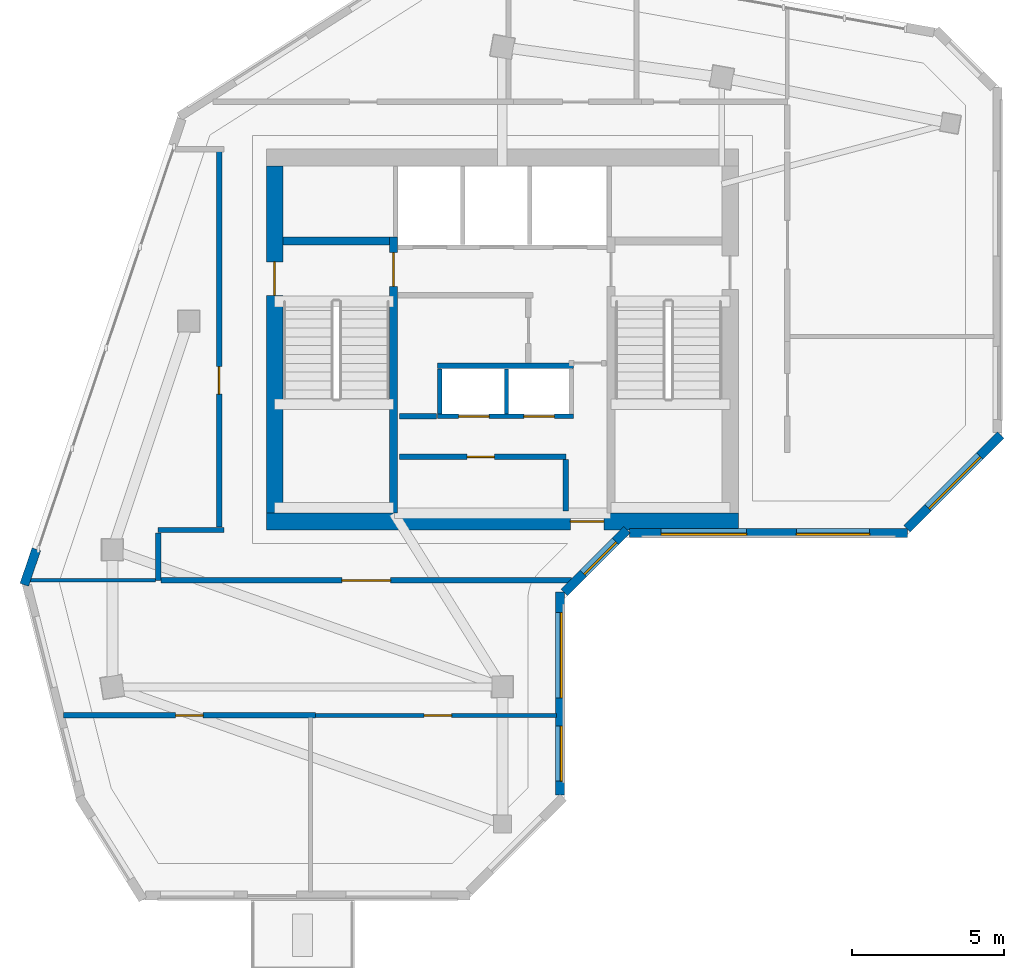
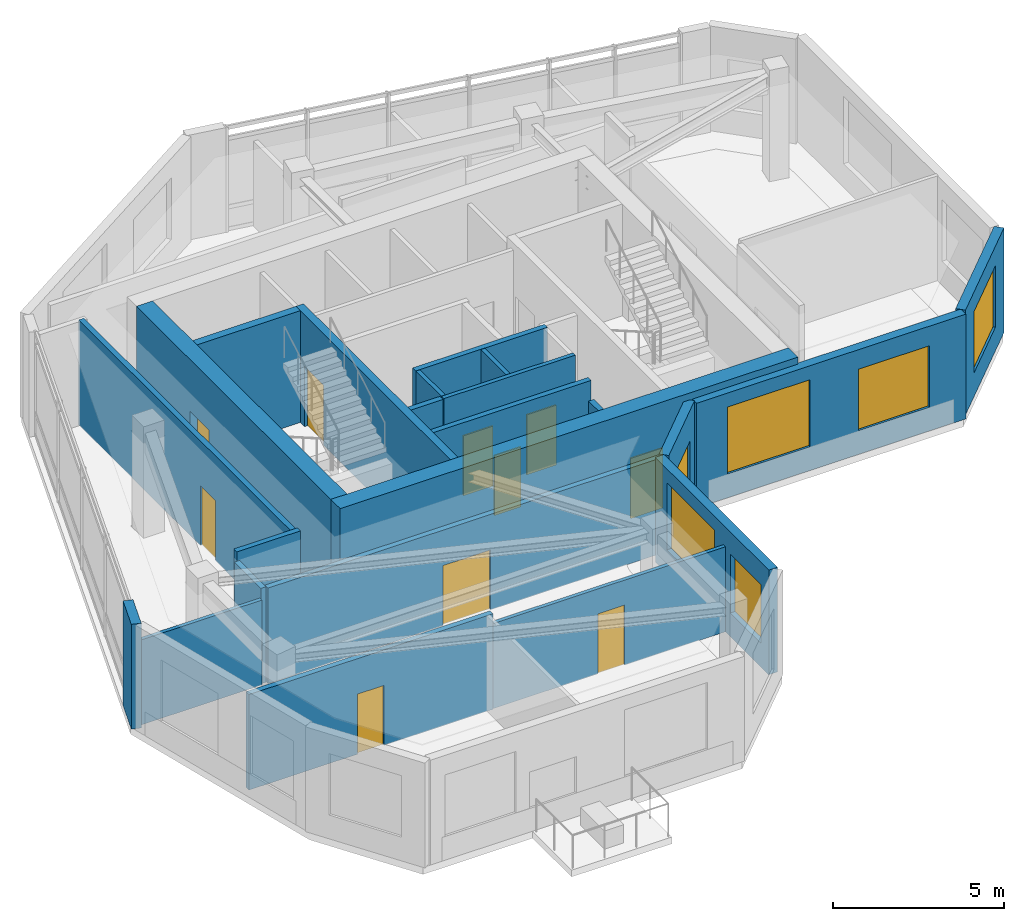
# One storey, part 3 of 8: 23 walls, 10 doors, 6 windows, 16 openings.
"""IFC4 building model written with IfcOpenShell, lengths in metres."""

from ifc_helpers import new_model, si_unit, direction, frame, frame_2d, origin, place, context, subcontext, project, spatial, rectangle, extrude, source, transform, mapped, material, layer, layer_set, type_object, element, fill, save


model = new_model("IFC4")

# Units and contexts
model_context = context("Model", 3, precision=1e-05, world=origin(), true_north=direction((0.0, 1.0)))
body_context = subcontext(model_context, "Body", "Model", "MODEL_VIEW")
ifc_project = project(units=[si_unit("LENGTHUNIT", "METRE"), si_unit("AREAUNIT", "SQUARE_METRE"), si_unit("VOLUMEUNIT", "CUBIC_METRE"), si_unit("PLANEANGLEUNIT", "RADIAN"), si_unit("MASSUNIT", "GRAM", prefix="KILO")], contexts=[model_context])

# Site, building, storey
site_placement = place(None, origin())
site = spatial("IfcSite", under=ifc_project, at=site_placement, CompositionType="ELEMENT")
building_placement = place(site_placement, origin())
building = spatial("IfcBuilding", under=site, at=building_placement, Name="Calvemar Wedge Station Tower", CompositionType="ELEMENT")
storey_placement = place(building_placement, frame((0.0, 0.0, 296.5)))
storey = spatial("IfcBuildingStorey", under=building, at=storey_placement, Name="L76", CompositionType="ELEMENT", Elevation=296.5)

# Wall, opening, door
ifc_material_1 = material(Name="Concrete C50", Category="concrete")
ifc_layer_1 = layer(ifc_material_1, 0.260009765625)
ifc_layer_set_1 = layer_set([ifc_layer_1], Name="Concrete C50")
wall_type_1 = type_object("IfcWallType", Name="SW-CORE-260", PredefinedType="SHEAR", material=ifc_layer_set_1)
wall_1_placement = place(storey_placement, frame((20.22998046875, 34.199951171875, 0.0), z_axis=(0.0, 0.0, 1.0), x_axis=(0.0, 1.0, 0.0)))
wall_1 = element("IfcWall", 1, at=wall_1_placement, inside=storey, type_object=wall_type_1, Name="Storey L76 Core Shear Wall SPINE-W", PredefinedType="SHEAR", context=body_context, shape_type="SweptSolid", body=[
    extrude(rectangle(XDim=9.06005859375, YDim=0.260009765625, at=frame_2d((4.530029296875, 0.0))), origin(), (0.0, 0.0, 1.0), 4.0),
])
shared_shape_1 = source(origin(), body_context, "Body", "SweptSolid", [
    extrude(rectangle(XDim=1.10009765625, YDim=2.14990234375, at=frame_2d((0.550048828125, 1.074951171875))), frame((0.0, 0.14013671875, 0.0), z_axis=(0.0, -1.0, 0.0), x_axis=(1.0, 0.0, 0.0)), (0.0, 0.0, 1.0), 0.280029296875),
])
opening_1_placement = place(wall_1_placement, frame((7.449951171875, 0.0, 0.0)))
opening_1 = element("IfcOpeningElement", 2, at=opening_1_placement, cuts=wall_1, Name="Opening FD-90", PredefinedType="OPENING", context=body_context, shape_type="MappedRepresentation", body=[
    mapped(shared_shape_1, transform((0.0, 0.0, 0.0), scale=1.0)),
])
ifc_material_2 = material(Name="Galvanized fire-rated steel door leaf P-90", Category="steel")
door_type_1 = type_object("IfcDoorType", Name="DR-FD90-1100", OperationType="NOTDEFINED", PredefinedType="DOOR", material=ifc_material_2)
shared_shape_2 = source(origin(), body_context, "Body", "SweptSolid", [
    extrude(rectangle(XDim=1.10009765625, YDim=2.14990234375, at=frame_2d((0.550048828125, 1.074951171875))), frame((0.0, 0.02490234375, 0.0), z_axis=(0.0, -1.0, 0.0), x_axis=(1.0, 0.0, 0.0)), (0.0, 0.0, 1.0), 0.050048828125),
])
door_1_placement = place(opening_1_placement, origin())
door_1 = element("IfcDoor", 3, at=door_1_placement, inside=storey, type_object=door_type_1, Name="L76 FF Lobby to Stair ST-C1 Door", OperationType="SINGLE_SWING_RIGHT", OverallHeight=2.14990234375, OverallWidth=1.10009765625, PredefinedType="DOOR", context=body_context, shape_type="MappedRepresentation", body=[
    mapped(shared_shape_2, transform((0.0, 0.0, 0.0), scale=1.0)),
])
fill(opening_1, door_1)

# Wall
wall_2_placement = place(storey_placement, frame((16.60009765625, 43.1298828125, 0.0), z_axis=(0.0, 0.0, 1.0), x_axis=(1.0, 0.0, 0.0)))
element("IfcWall", 4, at=wall_2_placement, inside=storey, type_object=wall_type_1, Name="Storey L76 Core Shear Wall STC1-N", PredefinedType="SHEAR", context=body_context, shape_type="SweptSolid", body=[
    extrude(rectangle(XDim=3.5, YDim=0.260009765625, at=frame_2d((1.75, 0.0))), origin(), (0.0, 0.0, 1.0), 4.0),
])

# Wall, opening, door
ifc_material_3 = material(Name="Concrete C60", Category="concrete")
ifc_layer_2 = layer(ifc_material_3, 0.550048828125)
ifc_layer_set_2 = layer_set([ifc_layer_2], Name="Concrete C60")
wall_type_2 = type_object("IfcWallType", Name="SW-CORE-550", PredefinedType="SHEAR", material=ifc_layer_set_2)
wall_3_placement = place(storey_placement, frame((16.050048828125, 33.925048828125, 0.0), z_axis=(0.0, 0.0, 1.0), x_axis=(1.0, 0.0, 0.0)))
wall_3 = element("IfcWall", 5, at=wall_3_placement, inside=storey, type_object=wall_type_2, Name="Storey L76 Core Shear Wall S", PredefinedType="SHEAR", context=body_context, shape_type="SweptSolid", body=[
    extrude(rectangle(XDim=15.5, YDim=0.550048828125, at=frame_2d((7.75, 0.0))), origin(), (0.0, 0.0, 1.0), 4.0),
])
shared_shape_3 = source(origin(), body_context, "Body", "SweptSolid", [
    extrude(rectangle(XDim=1.10009765625, YDim=2.14990234375, at=frame_2d((0.550048828125, 1.074951171875))), frame((0.0, 0.28515625, 0.0), z_axis=(0.0, -1.0, 0.0), x_axis=(1.0, 0.0, 0.0)), (0.0, 0.0, 1.0), 0.570068359375),
])
opening_2_placement = place(wall_3_placement, frame((9.97998046875, 0.0, 0.0)))
opening_2 = element("IfcOpeningElement", 6, at=opening_2_placement, cuts=wall_3, Name="Opening FD-90", PredefinedType="OPENING", context=body_context, shape_type="MappedRepresentation", body=[
    mapped(shared_shape_3, transform((0.0, 0.0, 0.0), scale=1.0)),
])
door_2_placement = place(opening_2_placement, origin())
door_2 = element("IfcDoor", 7, at=door_2_placement, inside=storey, type_object=door_type_1, Name="L76 Passenger Lift Lobby Door", OperationType="SINGLE_SWING_RIGHT", OverallHeight=2.14990234375, OverallWidth=1.10009765625, PredefinedType="DOOR", context=body_context, shape_type="MappedRepresentation", body=[
    mapped(shared_shape_2, transform((0.0, 0.0, 0.0), scale=1.0)),
])
fill(opening_2, door_2)

wall_4_placement = place(storey_placement, frame((16.324951171875, 34.199951171875, 0.0), z_axis=(0.0, 0.0, 1.0), x_axis=(0.0, 1.0, 0.0)))
wall_4 = element("IfcWall", 8, at=wall_4_placement, inside=storey, type_object=wall_type_2, Name="Storey L76 Core Shear Wall W", PredefinedType="SHEAR", context=body_context, shape_type="SweptSolid", body=[
    extrude(rectangle(XDim=11.400146484375, YDim=0.550048828125, at=frame_2d((5.7001953125, 0.0))), origin(), (0.0, 0.0, 1.0), 4.0),
])
opening_3_placement = place(wall_4_placement, frame((7.14990234375, 0.0, 0.0)))
opening_3 = element("IfcOpeningElement", 9, at=opening_3_placement, cuts=wall_4, Name="Opening FD-90", PredefinedType="OPENING", context=body_context, shape_type="MappedRepresentation", body=[
    mapped(shared_shape_3, transform((0.0, 0.0, 0.0), scale=1.0)),
])
door_3_placement = place(opening_3_placement, origin())
door_3 = element("IfcDoor", 10, at=door_3_placement, inside=storey, type_object=door_type_1, Name="L76 West Corridor to Exit Stair ST-C1 Door", OperationType="SINGLE_SWING_RIGHT", OverallHeight=2.14990234375, OverallWidth=1.10009765625, PredefinedType="DOOR", context=body_context, shape_type="MappedRepresentation", body=[
    mapped(shared_shape_2, transform((0.0, 0.0, 0.0), scale=1.0)),
])
fill(opening_3, door_3)

# Wall
ifc_material_4 = material(Name="Double-stud fire-rated corridor partition")
ifc_layer_3 = layer(ifc_material_4, 0.179931640625)
ifc_layer_set_3 = layer_set([ifc_layer_3], Name="Double-stud fire-rated corridor partition")
wall_type_3 = type_object("IfcWallType", Name="W-CORR-180", PredefinedType="PARTITIONING", material=ifc_layer_set_3)
wall_5_placement = place(storey_placement, frame((21.6298828125, 37.3798828125, 0.0), z_axis=(0.0, 0.0, 1.0), x_axis=(-1.0, 0.0, 0.0)))
element("IfcWall", 11, at=wall_5_placement, inside=storey, type_object=wall_type_3, Name="Storey L76 Interior Partition WL-L76-003", PredefinedType="PARTITIONING", context=body_context, shape_type="SweptSolid", body=[
    extrude(rectangle(XDim=1.2099609375, YDim=0.179931640625, at=frame_2d((0.60498046875, 0.0))), origin(), (0.0, 0.0, 1.0), 3.75),
])

# Wall, opening, door
wall_6_placement = place(storey_placement, frame((20.419921875, 36.050048828125, 0.0), z_axis=(0.0, 0.0, 1.0), x_axis=(1.0, 0.0, 0.0)))
wall_6 = element("IfcWall", 12, at=wall_6_placement, inside=storey, type_object=wall_type_3, Name="Storey L76 Interior Partition WL-L76-005", PredefinedType="PARTITIONING", context=body_context, shape_type="SweptSolid", body=[
    extrude(rectangle(XDim=5.4599609375, YDim=0.179931640625, at=frame_2d((2.72998046875, 0.0))), origin(), (0.0, 0.0, 1.0), 3.75),
])
shared_shape_4 = source(origin(), body_context, "Body", "SweptSolid", [
    extrude(rectangle(XDim=0.89990234375, YDim=2.14990234375, at=frame_2d((0.449951171875, 1.074951171875))), frame((0.0, 0.10009765625, 0.0), z_axis=(0.0, -1.0, 0.0), x_axis=(1.0, 0.0, 0.0)), (0.0, 0.0, 1.0), 0.199951171875),
])
opening_4_placement = place(wall_6_placement, frame((2.219482421875, 0.0, 0.0)))
opening_4 = element("IfcOpeningElement", 13, at=opening_4_placement, cuts=wall_6, Name="Opening FD-60", PredefinedType="OPENING", context=body_context, shape_type="MappedRepresentation", body=[
    mapped(shared_shape_4, transform((0.0, 0.0, 0.0), scale=1.0)),
])
ifc_material_5 = material(Name="Fire-rated acoustic timber-core entrance door EI 60", Category="wood")
door_type_2 = type_object("IfcDoorType", Name="DR-FD60-900", OperationType="NOTDEFINED", PredefinedType="DOOR", material=ifc_material_5)
shared_shape_5 = source(origin(), body_context, "Body", "SweptSolid", [
    extrude(rectangle(XDim=0.89990234375, YDim=2.14990234375, at=frame_2d((0.449951171875, 1.074951171875))), frame((0.0, 0.02490234375, 0.0), z_axis=(0.0, -1.0, 0.0), x_axis=(1.0, 0.0, 0.0)), (0.0, 0.0, 1.0), 0.050048828125),
])
door_4_placement = place(opening_4_placement, origin())
door_4 = element("IfcDoor", 14, at=door_4_placement, inside=storey, type_object=door_type_2, Name="L76 Wine and Parcel Store Door", OperationType="SINGLE_SWING_LEFT", OverallHeight=2.14990234375, OverallWidth=0.89990234375, PredefinedType="DOOR", context=body_context, shape_type="MappedRepresentation", body=[
    mapped(shared_shape_5, transform((0.0, 0.0, 0.0), scale=1.0)),
])
fill(opening_4, door_4)

# Walls
wall_7_placement = place(storey_placement, frame((25.8798828125, 35.9560546875, 0.0), z_axis=(0.0, 0.0, 1.0), x_axis=(0.0, -1.0, 0.0)))
element("IfcWall", 15, at=wall_7_placement, inside=storey, type_object=wall_type_3, Name="Storey L76 Interior Partition WL-L76-006", PredefinedType="PARTITIONING", context=body_context, shape_type="SweptSolid", body=[
    extrude(rectangle(XDim=1.68603515625, YDim=0.179931640625, at=frame_2d((0.843017578125, 0.0))), origin(), (0.0, 0.0, 1.0), 3.0419921875),
])
wall_8_placement = place(storey_placement, frame((12.5, 33.64990234375, 0.0), z_axis=(0.0, 0.0, 1.0), x_axis=(1.0, 0.0, 0.0)))
element("IfcWall", 16, at=wall_8_placement, inside=storey, type_object=wall_type_3, Name="Storey L76 Interior Partition WL-L76-007", PredefinedType="PARTITIONING", context=body_context, shape_type="SweptSolid", body=[
    extrude(rectangle(XDim=2.159912109375, YDim=0.179931640625, at=frame_2d((1.080078125, 0.0))), origin(), (0.0, 0.0, 1.0), 3.75),
])
wall_9_placement = place(storey_placement, frame((12.5, 32.0, 0.0), z_axis=(0.0, 0.0, 1.0), x_axis=(0.0, 1.0, 0.0)))
element("IfcWall", 17, at=wall_9_placement, inside=storey, type_object=wall_type_3, Name="Storey L76 Interior Partition WL-L76-008", PredefinedType="PARTITIONING", context=body_context, shape_type="SweptSolid", body=[
    extrude(rectangle(XDim=1.555908203125, YDim=0.179931640625, at=frame_2d((0.77783203125, 0.0))), origin(), (0.0, 0.0, 1.0), 3.4189453125),
])

# Wall, opening, door
wall_10_placement = place(storey_placement, frame((26.065185546875, 32.0, 0.0), z_axis=(0.0, 0.0, 1.0), x_axis=(-1.0, 0.0, 0.0)))
wall_10 = element("IfcWall", 18, at=wall_10_placement, inside=storey, type_object=wall_type_3, Name="Storey L76 Interior Partition WL-L76-009", PredefinedType="PARTITIONING", context=body_context, shape_type="SweptSolid", body=[
    extrude(rectangle(XDim=13.47119140625, YDim=0.179931640625, at=frame_2d((6.735595703125, 0.0))), origin(), (0.0, 0.0, 1.0), 3.4189453125),
])
shared_shape_6 = source(origin(), body_context, "Body", "SweptSolid", [
    extrude(rectangle(XDim=1.60009765625, YDim=2.14990234375, at=frame_2d((0.800048828125, 1.074951171875))), frame((0.0, 0.10009765625, 0.0), z_axis=(0.0, -1.0, 0.0), x_axis=(1.0, 0.0, 0.0)), (0.0, 0.0, 1.0), 0.199951171875),
])
opening_5_placement = place(wall_10_placement, frame((5.935546875, 0.0, 0.0)))
opening_5 = element("IfcOpeningElement", 19, at=opening_5_placement, cuts=wall_10, Name="Opening DD-160", PredefinedType="OPENING", context=body_context, shape_type="MappedRepresentation", body=[
    mapped(shared_shape_6, transform((0.0, 0.0, 0.0), scale=1.0)),
])
ifc_material_6 = material(Name="Double-leaf fire-rated lobby door EI 60")
door_type_3 = type_object("IfcDoorType", Name="DR-DBL-1600", OperationType="DOUBLE_DOOR_SINGLE_SWING", PredefinedType="DOOR", material=ifc_material_6)
shared_shape_7 = source(origin(), body_context, "Body", "SweptSolid", [
    extrude(rectangle(XDim=1.60009765625, YDim=2.14990234375, at=frame_2d((0.800048828125, 1.074951171875))), frame((0.0, 0.02490234375, 0.0), z_axis=(0.0, -1.0, 0.0), x_axis=(1.0, 0.0, 0.0)), (0.0, 0.0, 1.0), 0.050048828125),
])
door_5_placement = place(opening_5_placement, origin())
door_5 = element("IfcDoor", 20, at=door_5_placement, inside=storey, type_object=door_type_3, Name="L76 Summit Panoramic Restaurant Door", OperationType="SINGLE_SWING_RIGHT", OverallHeight=2.14990234375, OverallWidth=1.60009765625, PredefinedType="DOOR", context=body_context, shape_type="MappedRepresentation", body=[
    mapped(shared_shape_7, transform((0.0, 0.0, 0.0), scale=1.0)),
])
fill(opening_5, door_5)

wall_11_placement = place(storey_placement, frame((14.5, 33.743896484375, 0.0), z_axis=(0.0, 0.0, 1.0), x_axis=(0.0, 1.0, 0.0)))
wall_11 = element("IfcWall", 21, at=wall_11_placement, inside=storey, type_object=wall_type_3, Name="Storey L76 Interior Partition WL-L76-010", PredefinedType="PARTITIONING", context=body_context, shape_type="SweptSolid", body=[
    extrude(rectangle(XDim=12.406005859375, YDim=0.179931640625, at=frame_2d((6.203125, 0.0))), origin(), (0.0, 0.0, 1.0), 3.75),
])
opening_6_placement = place(wall_11_placement, frame((4.36962890625, 0.0, 0.0)))
opening_6 = element("IfcOpeningElement", 22, at=opening_6_placement, cuts=wall_11, Name="Opening D-01", PredefinedType="OPENING", context=body_context, shape_type="MappedRepresentation", body=[
    mapped(shared_shape_4, transform((0.0, 0.0, 0.0), scale=1.0)),
])
ifc_material_7 = material(Name="Architectural hardwood acoustic swing door", Category="wood")
door_type_4 = type_object("IfcDoorType", Name="DR-INT-900", OperationType="NOTDEFINED", PredefinedType="DOOR", material=ifc_material_7)
shared_shape_8 = source(origin(), body_context, "Body", "SweptSolid", [
    extrude(rectangle(XDim=0.89990234375, YDim=2.14990234375, at=frame_2d((0.449951171875, 1.074951171875))), frame((0.0, 0.02490234375, 0.0), z_axis=(0.0, -1.0, 0.0), x_axis=(1.0, 0.0, 0.0)), (0.0, 0.0, 1.0), 0.050048828125),
])
door_6_placement = place(opening_6_placement, origin())
door_6 = element("IfcDoor", 23, at=door_6_placement, inside=storey, type_object=door_type_4, Name="L76 Resident Reading Lounge Door", OperationType="SINGLE_SWING_RIGHT", OverallHeight=2.14990234375, OverallWidth=0.89990234375, PredefinedType="DOOR", context=body_context, shape_type="MappedRepresentation", body=[
    mapped(shared_shape_8, transform((0.0, 0.0, 0.0), scale=1.0)),
])
fill(opening_6, door_6)

wall_12_placement = place(storey_placement, frame((17.659912109375, 27.56494140625, 0.0), z_axis=(0.0, 0.0, 1.0), x_axis=(-1.0, 0.0, 0.0)))
wall_12 = element("IfcWall", 24, at=wall_12_placement, inside=storey, type_object=wall_type_3, Name="Storey L76 Interior Partition WL-L76-023", PredefinedType="PARTITIONING", context=body_context, shape_type="SweptSolid", body=[
    extrude(rectangle(XDim=8.268798828125, YDim=0.179931640625, at=frame_2d((4.13427734375, 0.0))), origin(), (0.0, 0.0, 1.0), 3.4189453125),
])
opening_7_placement = place(wall_12_placement, frame((3.684326171875, 0.0, 0.0)))
opening_7 = element("IfcOpeningElement", 25, at=opening_7_placement, cuts=wall_12, Name="Opening FD-60", PredefinedType="OPENING", context=body_context, shape_type="MappedRepresentation", body=[
    mapped(shared_shape_4, transform((0.0, 0.0, 0.0), scale=1.0)),
])
door_7_placement = place(opening_7_placement, origin())
door_7 = element("IfcDoor", 26, at=door_7_placement, inside=storey, type_object=door_type_2, Name="L76 Restaurant Catering Kitchen Door", OperationType="SINGLE_SWING_LEFT", OverallHeight=2.14990234375, OverallWidth=0.89990234375, PredefinedType="DOOR", context=body_context, shape_type="MappedRepresentation", body=[
    mapped(shared_shape_5, transform((0.0, 0.0, 0.0), scale=1.0)),
])
fill(opening_7, door_7)

# Wall, openings, windows
ifc_material_8 = material(Name="Precast concrete C45", Category="concrete")
ifc_layer_4 = layer(ifc_material_8, 0.300048828125)
ifc_layer_set_4 = layer_set([ifc_layer_4], Name="Precast concrete C45")
wall_type_4 = type_object("IfcWallType", Name="W-EXT-GFRC-300", PredefinedType="SOLIDWALL", material=ifc_layer_set_4)
wall_13_placement = place(storey_placement, frame((25.68994140625, 24.957275390625, 0.0), z_axis=(0.0, 0.0, 1.0), x_axis=(0.0, 1.0, 0.0)))
wall_13 = element("IfcWall", 27, at=wall_13_placement, inside=storey, type_object=wall_type_4, Name="Storey L76 Bronze GFRC Exterior Wall 4", PredefinedType="SOLIDWALL", context=body_context, shape_type="SweptSolid", body=[
    extrude(rectangle(XDim=6.65478515625, YDim=0.300048828125, at=frame_2d((3.327392578125, 0.0))), origin(), (0.0, 0.0, 1.0), 3.75),
])
shared_shape_9 = source(origin(), body_context, "Body", "SweptSolid", [
    extrude(rectangle(XDim=1.800048828125, YDim=2.10009765625, at=frame_2d((0.89990234375, 1.050048828125))), frame((0.0, 0.16015625, 0.0), z_axis=(0.0, -1.0, 0.0), x_axis=(1.0, 0.0, 0.0)), (0.0, 0.0, 1.0), 0.320068359375),
])
opening_8_placement = place(wall_13_placement, frame((0.4541015625, 0.0, 0.85009765625)))
opening_8 = element("IfcOpeningElement", 28, at=opening_8_placement, cuts=wall_13, Name="Opening W2", PredefinedType="OPENING", context=body_context, shape_type="MappedRepresentation", body=[
    mapped(shared_shape_9, transform((0.0, 0.0, 0.0), scale=1.0)),
])
shared_shape_10 = source(origin(), body_context, "Body", "SweptSolid", [
    extrude(rectangle(XDim=2.800048828125, YDim=2.39990234375, at=frame_2d((1.39990234375, 1.199951171875))), frame((0.0, 0.16015625, 0.0), z_axis=(0.0, -1.0, 0.0), x_axis=(1.0, 0.0, 0.0)), (0.0, 0.0, 1.0), 0.320068359375),
])
opening_9_placement = place(wall_13_placement, frame((3.180908203125, 0.0, 0.85009765625)))
opening_9 = element("IfcOpeningElement", 29, at=opening_9_placement, cuts=wall_13, Name="Opening W6", PredefinedType="OPENING", context=body_context, shape_type="MappedRepresentation", body=[
    mapped(shared_shape_10, transform((0.0, 0.0, 0.0), scale=1.0)),
])
ifc_material_9 = material(Name="Low-E laminated insulated glass", Category="glass")
window_type_1 = type_object("IfcWindowType", Name="WIN-EXT-2", PartitioningType="SINGLE_PANEL", PredefinedType="WINDOW", material=ifc_material_9)
shared_shape_11 = source(origin(), body_context, "Body", "SweptSolid", [
    extrude(rectangle(XDim=1.800048828125, YDim=2.10009765625, at=frame_2d((0.89990234375, 1.050048828125))), frame((0.0, -0.014892578125, 0.0), z_axis=(0.0, -1.0, 0.0), x_axis=(1.0, 0.0, 0.0)), (0.0, 0.0, 1.0), 0.06005859375),
])
window_1_placement = place(opening_8_placement, origin())
window_1 = element("IfcWindow", 30, at=window_1_placement, inside=storey, type_object=window_type_1, Name="Storey L76 Recessed Window 4.1", OverallHeight=2.10009765625, OverallWidth=1.800048828125, PartitioningType="SINGLE_PANEL", PredefinedType="WINDOW", context=body_context, shape_type="MappedRepresentation", body=[
    mapped(shared_shape_11, transform((0.0, 0.0, 0.0), scale=1.0)),
])
fill(opening_8, window_1)
window_type_2 = type_object("IfcWindowType", Name="WIN-EXT-6", PartitioningType="SINGLE_PANEL", PredefinedType="WINDOW", material=ifc_material_9)
shared_shape_12 = source(origin(), body_context, "Body", "SweptSolid", [
    extrude(rectangle(XDim=2.800048828125, YDim=2.39990234375, at=frame_2d((1.39990234375, 1.199951171875))), frame((0.0, -0.014892578125, 0.0), z_axis=(0.0, -1.0, 0.0), x_axis=(1.0, 0.0, 0.0)), (0.0, 0.0, 1.0), 0.06005859375),
])
window_2_placement = place(opening_9_placement, origin())
window_2 = element("IfcWindow", 31, at=window_2_placement, inside=storey, type_object=window_type_2, Name="Storey L76 Recessed Window 4.2", OverallHeight=2.39990234375, OverallWidth=2.800048828125, PartitioningType="SINGLE_PANEL", PredefinedType="WINDOW", context=body_context, shape_type="MappedRepresentation", body=[
    mapped(shared_shape_12, transform((0.0, 0.0, 0.0), scale=1.0)),
])
fill(opening_9, window_2)

# Wall, opening, window
wall_14_placement = place(storey_placement, frame((25.827880859375, 31.60009765625, 0.0), z_axis=(0.0, 0.0, 1.0), x_axis=(0.707106781187, 0.707106781187, 0.0)))
wall_14 = element("IfcWall", 32, at=wall_14_placement, inside=storey, type_object=wall_type_4, Name="Storey L76 Bronze GFRC Exterior Wall 5", PredefinedType="SOLIDWALL", context=body_context, shape_type="SweptSolid", body=[
    extrude(rectangle(XDim=2.907470703125, YDim=0.300048828125, at=frame_2d((1.45361328125, 0.0))), origin(), (0.0, 0.0, 1.0), 3.75),
])
shared_shape_13 = source(origin(), body_context, "Body", "SweptSolid", [
    extrude(rectangle(XDim=1.5, YDim=1.800048828125, at=frame_2d((0.75, 0.89990234375))), frame((0.0, 0.16015625, 0.0), z_axis=(0.0, -1.0, 0.0), x_axis=(1.0, 0.0, 0.0)), (0.0, 0.0, 1.0), 0.320068359375),
])
opening_10_placement = place(wall_14_placement, frame((0.87890625, 0.0, 0.85009765625)))
opening_10 = element("IfcOpeningElement", 33, at=opening_10_placement, cuts=wall_14, Name="Opening W3", PredefinedType="OPENING", context=body_context, shape_type="MappedRepresentation", body=[
    mapped(shared_shape_13, transform((0.0, 0.0, 0.0), scale=1.0)),
])
window_type_3 = type_object("IfcWindowType", Name="WIN-EXT-3", PartitioningType="SINGLE_PANEL", PredefinedType="WINDOW", material=ifc_material_9)
shared_shape_14 = source(origin(), body_context, "Body", "SweptSolid", [
    extrude(rectangle(XDim=1.5, YDim=1.800048828125, at=frame_2d((0.75, 0.89990234375))), frame((0.0, -0.014892578125, 0.0), z_axis=(0.0, -1.0, 0.0), x_axis=(1.0, 0.0, 0.0)), (0.0, 0.0, 1.0), 0.06005859375),
])
window_3_placement = place(opening_10_placement, origin())
window_3 = element("IfcWindow", 34, at=window_3_placement, inside=storey, type_object=window_type_3, Name="Storey L76 Recessed Window 5.1", OverallHeight=1.800048828125, OverallWidth=1.5, PartitioningType="SINGLE_PANEL", PredefinedType="WINDOW", context=body_context, shape_type="MappedRepresentation", body=[
    mapped(shared_shape_14, transform((0.0, 0.0, 0.0), scale=1.0)),
])
fill(opening_10, window_3)

# Wall, openings, windows
wall_15_placement = place(storey_placement, frame((27.972900390625, 33.550048828125, 0.0), z_axis=(0.0, 0.0, 1.0), x_axis=(1.0, 0.0, 0.0)))
wall_15 = element("IfcWall", 35, at=wall_15_placement, inside=storey, type_object=wall_type_4, Name="Storey L76 Bronze GFRC Exterior Wall 6", PredefinedType="SOLIDWALL", context=body_context, shape_type="SweptSolid", body=[
    extrude(rectangle(XDim=9.114990234375, YDim=0.300048828125, at=frame_2d((4.5576171875, 0.0))), origin(), (0.0, 0.0, 1.0), 3.75),
])
opening_11_placement = place(wall_15_placement, frame((1.0390625, 0.0, 0.85009765625)))
opening_11 = element("IfcOpeningElement", 36, at=opening_11_placement, cuts=wall_15, Name="Opening W6", PredefinedType="OPENING", context=body_context, shape_type="MappedRepresentation", body=[
    mapped(shared_shape_10, transform((0.0, 0.0, 0.0), scale=1.0)),
])
shared_shape_15 = source(origin(), body_context, "Body", "SweptSolid", [
    extrude(rectangle(XDim=2.39990234375, YDim=2.199951171875, at=frame_2d((1.199951171875, 1.10009765625))), frame((0.0, 0.16015625, 0.0), z_axis=(0.0, -1.0, 0.0), x_axis=(1.0, 0.0, 0.0)), (0.0, 0.0, 1.0), 0.320068359375),
])
opening_12_placement = place(wall_15_placement, frame((5.47607421875, 0.0, 0.85009765625)))
opening_12 = element("IfcOpeningElement", 37, at=opening_12_placement, cuts=wall_15, Name="Opening W1", PredefinedType="OPENING", context=body_context, shape_type="MappedRepresentation", body=[
    mapped(shared_shape_15, transform((0.0, 0.0, 0.0), scale=1.0)),
])
window_4_placement = place(opening_11_placement, origin())
window_4 = element("IfcWindow", 38, at=window_4_placement, inside=storey, type_object=window_type_2, Name="Storey L76 Recessed Window 6.1", OverallHeight=2.39990234375, OverallWidth=2.800048828125, PartitioningType="SINGLE_PANEL", PredefinedType="WINDOW", context=body_context, shape_type="MappedRepresentation", body=[
    mapped(shared_shape_12, transform((0.0, 0.0, 0.0), scale=1.0)),
])
fill(opening_11, window_4)
window_type_4 = type_object("IfcWindowType", Name="WIN-EXT-1", PartitioningType="SINGLE_PANEL", PredefinedType="WINDOW", material=ifc_material_9)
shared_shape_16 = source(origin(), body_context, "Body", "SweptSolid", [
    extrude(rectangle(XDim=2.39990234375, YDim=2.199951171875, at=frame_2d((1.199951171875, 1.10009765625))), frame((0.0, -0.014892578125, 0.0), z_axis=(0.0, -1.0, 0.0), x_axis=(1.0, 0.0, 0.0)), (0.0, 0.0, 1.0), 0.06005859375),
])
window_5_placement = place(opening_12_placement, origin())
window_5 = element("IfcWindow", 39, at=window_5_placement, inside=storey, type_object=window_type_4, Name="Storey L76 Recessed Window 6.2", OverallHeight=2.199951171875, OverallWidth=2.39990234375, PartitioningType="SINGLE_PANEL", PredefinedType="WINDOW", context=body_context, shape_type="MappedRepresentation", body=[
    mapped(shared_shape_16, transform((0.0, 0.0, 0.0), scale=1.0)),
])
fill(opening_12, window_5)

# Wall, opening, window
wall_16_placement = place(storey_placement, frame((37.075927734375, 33.68798828125, 0.0), z_axis=(0.0, 0.0, 1.0), x_axis=(0.707078757535, 0.707134803727, 0.0)))
wall_16 = element("IfcWall", 40, at=wall_16_placement, inside=storey, type_object=wall_type_4, Name="Storey L76 Bronze GFRC Exterior Wall 7", PredefinedType="SOLIDWALL", context=body_context, shape_type="SweptSolid", body=[
    extrude(rectangle(XDim=4.35595703125, YDim=0.300048828125, at=frame_2d((2.177978515625, 0.0))), origin(), (0.0, 0.0, 1.0), 3.75),
])
opening_13_placement = place(wall_16_placement, frame((0.97802734375, 0.0, 0.85009765625)))
opening_13 = element("IfcOpeningElement", 41, at=opening_13_placement, cuts=wall_16, Name="Opening W1", PredefinedType="OPENING", context=body_context, shape_type="MappedRepresentation", body=[
    mapped(shared_shape_15, transform((0.0, 0.0, 0.0), scale=1.0)),
])
window_6_placement = place(opening_13_placement, origin())
window_6 = element("IfcWindow", 42, at=window_6_placement, inside=storey, type_object=window_type_4, Name="Storey L76 Recessed Window 7.1", OverallHeight=2.199951171875, OverallWidth=2.39990234375, PartitioningType="SINGLE_PANEL", PredefinedType="WINDOW", context=body_context, shape_type="MappedRepresentation", body=[
    mapped(shared_shape_16, transform((0.0, 0.0, 0.0), scale=1.0)),
])
fill(opening_13, window_6)

# Wall
wall_17_placement = place(storey_placement, frame((8.501708984375, 33.01708984375, 0.0), z_axis=(0.0, 0.0, 1.0), x_axis=(-0.319798692732, -0.947485512357, 0.0)))
element("IfcWall", 43, at=wall_17_placement, inside=storey, type_object=wall_type_4, Name="Storey L76 Bronze GFRC Corner Pier 12B", PredefinedType="SOLIDWALL", context=body_context, shape_type="SweptSolid", body=[
    extrude(rectangle(XDim=1.22998046875, YDim=0.300048828125, at=frame_2d((0.614990234375, 0.0))), origin(), (0.0, 0.0, 1.0), 3.75),
])

# Wall, openings, doors
ifc_material_10 = material(Name="Reinforced concrete blockwork lift shaft wall", Category="masonry")
ifc_layer_5 = layer(ifc_material_10, 0.139892578125)
ifc_layer_set_5 = layer_set([ifc_layer_5], Name="Reinforced concrete blockwork lift shaft wall")
wall_type_5 = type_object("IfcWallType", Name="W-LIFT-160", PredefinedType="SOLIDWALL", material=ifc_layer_set_5)
wall_18_placement = place(storey_placement, frame((21.669921875, 37.3798828125, 0.0), z_axis=(0.0, 0.0, 1.0), x_axis=(1.0, 0.0, 0.0)))
wall_18 = element("IfcWall", 44, at=wall_18_placement, inside=storey, type_object=wall_type_5, Name="Storey L76 Upper Passenger Lift Bank Front Wall", PredefinedType="SOLIDWALL", context=body_context, shape_type="SweptSolid", body=[
    extrude(rectangle(XDim=4.4599609375, YDim=0.139892578125, at=frame_2d((2.22998046875, 0.0))), origin(), (0.0, 0.0, 1.0), 3.75),
])
shared_shape_17 = source(origin(), body_context, "Body", "SweptSolid", [
    extrude(rectangle(XDim=1.0, YDim=2.14990234375, at=frame_2d((0.5, 1.074951171875))), frame((0.0, 0.080078125, 0.0), z_axis=(0.0, -1.0, 0.0), x_axis=(1.0, 0.0, 0.0)), (0.0, 0.0, 1.0), 0.159912109375),
])
opening_14_placement = place(wall_18_placement, frame((0.695068359375, 0.0, 0.0)))
opening_14 = element("IfcOpeningElement", 45, at=opening_14_placement, cuts=wall_18, Name="Opening LD-PAX", PredefinedType="OPENING", context=body_context, shape_type="MappedRepresentation", body=[
    mapped(shared_shape_17, transform((0.0, 0.0, 0.0), scale=1.0)),
])
opening_15_placement = place(wall_18_placement, frame((2.8349609375, 0.0, 0.0)))
opening_15 = element("IfcOpeningElement", 46, at=opening_15_placement, cuts=wall_18, Name="Opening LD-PAX", PredefinedType="OPENING", context=body_context, shape_type="MappedRepresentation", body=[
    mapped(shared_shape_17, transform((0.0, 0.0, 0.0), scale=1.0)),
])
ifc_material_11 = material(Name="Anodised bronze passenger lift sliding landing door")
door_type_5 = type_object("IfcDoorType", Name="DR-LD-PAX-1000", OperationType="SLIDING_TO_LEFT", PredefinedType="DOOR", material=ifc_material_11)
shared_shape_18 = source(origin(), body_context, "Body", "SweptSolid", [
    extrude(rectangle(XDim=1.0, YDim=2.14990234375, at=frame_2d((0.5, 1.074951171875))), frame((0.0, 0.02490234375, 0.0), z_axis=(0.0, -1.0, 0.0), x_axis=(1.0, 0.0, 0.0)), (0.0, 0.0, 1.0), 0.050048828125),
])
door_8_placement = place(opening_14_placement, origin())
door_8 = element("IfcDoor", 47, at=door_8_placement, inside=storey, type_object=door_type_5, Name="L76 Lift RH-02 Sliding Landing Door", OperationType="SLIDING_TO_RIGHT", OverallHeight=2.14990234375, OverallWidth=1.0, PredefinedType="DOOR", context=body_context, shape_type="MappedRepresentation", body=[
    mapped(shared_shape_18, transform((0.0, 0.0, 0.0), scale=1.0)),
])
fill(opening_14, door_8)
door_9_placement = place(opening_15_placement, origin())
door_9 = element("IfcDoor", 48, at=door_9_placement, inside=storey, type_object=door_type_5, Name="L76 Lift RH-03 Sliding Landing Door", OperationType="SLIDING_TO_LEFT", OverallHeight=2.14990234375, OverallWidth=1.0, PredefinedType="DOOR", context=body_context, shape_type="MappedRepresentation", body=[
    mapped(shared_shape_18, transform((0.0, 0.0, 0.0), scale=1.0)),
])
fill(opening_15, door_9)

# Walls
for number, where, z_axis, x_axis, name in (
    (49, (21.739990234375, 37.4599609375, 0.0), (0.0, 0.0, 1.0), (0.0, 1.0, 0.0), "Storey L76 Upper Passenger Lift Shaft Wall W"),
    (50, (23.93505859375, 37.4599609375, 0.0), (0.0, 0.0, 1.0), (0.0, 1.0, 0.0), "Storey L76 Upper Passenger Lift Shaft Wall D1"),
):
    element("IfcWall", number, at=place(storey_placement, frame(where, z_axis=z_axis, x_axis=x_axis)), inside=storey, type_object=wall_type_5, Name=name, PredefinedType="SOLIDWALL", context=body_context, shape_type="SweptSolid", body=[
        extrude(rectangle(XDim=1.47998046875, YDim=0.139892578125, at=frame_2d((0.739990234375, 0.0))), origin(), (0.0, 0.0, 1.0), 3.75),
    ])
ifc_material_12 = material(Name="Insulated acoustic gypsum stud partition")
ifc_layer_6 = layer(ifc_material_12, 0.125)
ifc_layer_set_6 = layer_set([ifc_layer_6], Name="Insulated acoustic gypsum stud partition")
wall_type_6 = type_object("IfcWallType", Name="W-PART-125", PredefinedType="PARTITIONING", material=ifc_layer_set_6)
wall_19_placement = place(storey_placement, frame((12.406005859375, 32.0, 0.0), z_axis=(0.0, 0.0, 1.0), x_axis=(-1.0, 0.0, 0.0)))
element("IfcWall", 51, at=wall_19_placement, inside=storey, type_object=wall_type_6, Name="Storey L76 Interior Partition WL-L76-018", PredefinedType="PARTITIONING", context=body_context, shape_type="SweptSolid", body=[
    extrude(rectangle(XDim=4.126220703125, YDim=0.125, at=frame_2d((2.06298828125, 0.0))), origin(), (0.0, 0.0, 1.0), 3.0419921875),
])

# Wall, opening, door
wall_20_placement = place(storey_placement, frame((25.574951171875, 27.56494140625, 0.0), z_axis=(0.0, 0.0, 1.0), x_axis=(-1.0, 0.0, 0.0)))
wall_20 = element("IfcWall", 52, at=wall_20_placement, inside=storey, type_object=wall_type_6, Name="Storey L76 Interior Partition WL-L76-024", PredefinedType="PARTITIONING", context=body_context, shape_type="SweptSolid", body=[
    extrude(rectangle(XDim=7.912841796875, YDim=0.125, at=frame_2d((3.95654296875, 0.0))), origin(), (0.0, 0.0, 1.0), 3.0419921875),
])
shared_shape_19 = source(origin(), body_context, "Body", "SweptSolid", [
    extrude(rectangle(XDim=0.89990234375, YDim=2.14990234375, at=frame_2d((0.449951171875, 1.074951171875))), frame((0.0, 0.072509765625, 0.0), z_axis=(0.0, -1.0, 0.0), x_axis=(1.0, 0.0, 0.0)), (0.0, 0.0, 1.0), 0.14501953125),
])
opening_16_placement = place(wall_20_placement, frame((3.445556640625, 0.0, 0.0)))
opening_16 = element("IfcOpeningElement", 53, at=opening_16_placement, cuts=wall_20, Name="Opening D-01", PredefinedType="OPENING", context=body_context, shape_type="MappedRepresentation", body=[
    mapped(shared_shape_19, transform((0.0, 0.0, 0.0), scale=1.0)),
])
door_10_placement = place(opening_16_placement, origin())
door_10 = element("IfcDoor", 54, at=door_10_placement, inside=storey, type_object=door_type_4, Name="L76 Observatory Operations Office Door", OperationType="SINGLE_SWING_RIGHT", OverallHeight=2.14990234375, OverallWidth=0.89990234375, PredefinedType="DOOR", context=body_context, shape_type="MappedRepresentation", body=[
    mapped(shared_shape_8, transform((0.0, 0.0, 0.0), scale=1.0)),
])
fill(opening_16, door_10)

# Wall
ifc_material_13 = material(Name="Concrete blockwork and fireboard shaft wall", Category="masonry")
ifc_layer_7 = layer(ifc_material_13, 0.199951171875)
ifc_layer_set_7 = layer_set([ifc_layer_7], Name="Concrete blockwork and fireboard shaft wall")
wall_type_7 = type_object("IfcWallType", Name="W-SHAFT-200", PredefinedType="SOLIDWALL", material=ifc_layer_set_7)
wall_21_placement = place(storey_placement, frame((21.669921875, 39.0400390625, 0.0), z_axis=(0.0, 0.0, 1.0), x_axis=(1.0, 0.0, 0.0)))
element("IfcWall", 55, at=wall_21_placement, inside=storey, type_object=wall_type_7, Name="Storey L76 Upper Passenger Lift Bank Rear Shaft Wall", PredefinedType="SOLIDWALL", context=body_context, shape_type="SweptSolid", body=[
    extrude(rectangle(XDim=4.4599609375, YDim=0.179931640625, at=frame_2d((2.22998046875, 0.0))), origin(), (0.0, 0.0, 1.0), 3.75),
])

save(model, "model.ifc")
